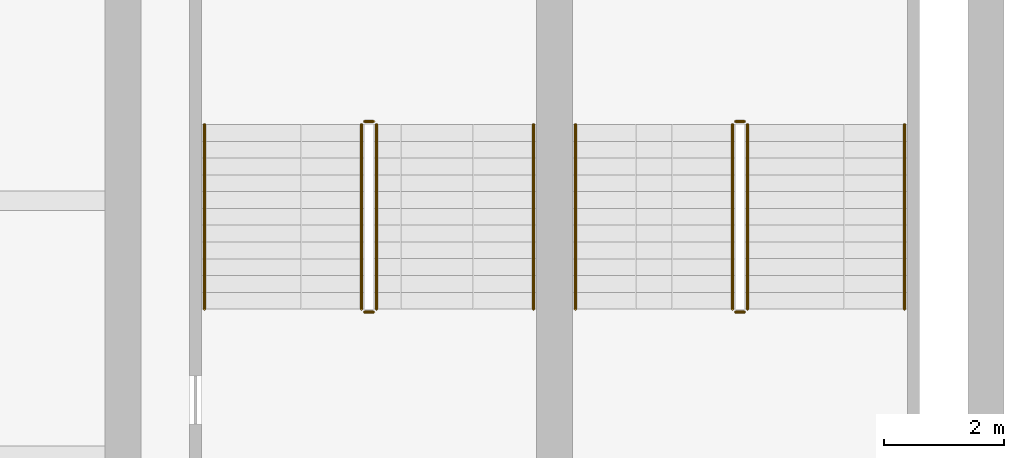
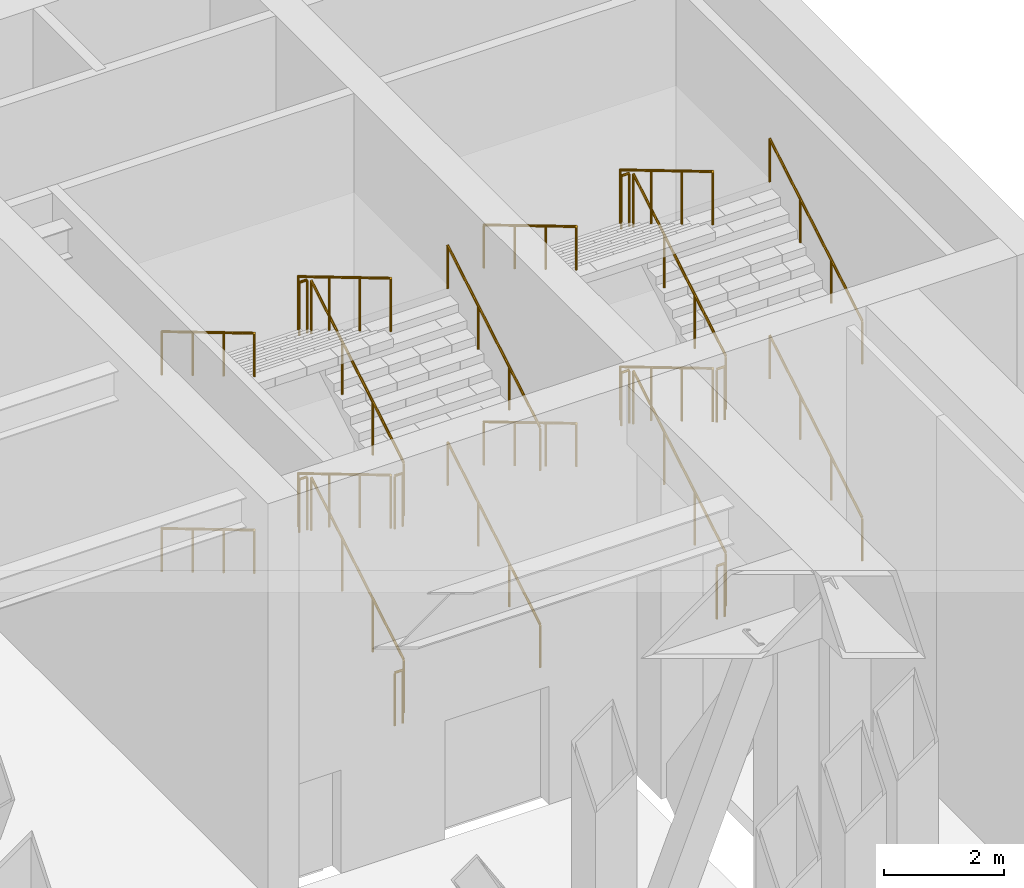
# One storey, part 20 of 20: 4 railings.
"""IFC4 building model written with IfcOpenShell, lengths in metres."""

from ifc_helpers import new_model, si_unit, direction, frame, origin, origin_2d, place, context, subcontext, project, spatial, circle, extrude, material, type_object, element, save


model = new_model("IFC4")

# Units and contexts
model_context = context("Model", 3, precision=1e-05, world=origin(), true_north=direction((0.0, 1.0)))
body_context = subcontext(model_context, "Body", "Model", "MODEL_VIEW")
ifc_project = project(units=[si_unit("LENGTHUNIT", "METRE"), si_unit("AREAUNIT", "SQUARE_METRE"), si_unit("VOLUMEUNIT", "CUBIC_METRE"), si_unit("PLANEANGLEUNIT", "RADIAN"), si_unit("MASSUNIT", "GRAM", prefix="KILO")], contexts=[model_context])

# Site, building, storey
site_placement = place(None, origin())
site = spatial("IfcSite", under=ifc_project, at=site_placement, CompositionType="ELEMENT")
building_placement = place(site_placement, origin())
building = spatial("IfcBuilding", under=site, at=building_placement, Name="Corbelhall Arena Tower", CompositionType="ELEMENT")
storey_placement = place(building_placement, frame((0.0, 0.0, 52.0)))
storey = spatial("IfcBuildingStorey", under=building, at=storey_placement, Name="L07", CompositionType="ELEMENT", Elevation=52.0)

# Railings
ifc_material = material(Name="Stainless steel A4", Category="steel")
railing_type_1 = type_object("IfcRailingType", Name="AR-STAIR-GUARD", PredefinedType="GUARDRAIL", material=ifc_material)
railing_1_placement = place(storey_placement, frame((37.530029296875, 27.320068359375, 0.166748046875)))
element("IfcRailing", 1, at=railing_1_placement, inside=storey, type_object=railing_type_1, Name="L07 AS1 stair guards", PredefinedType="GUARDRAIL", context=body_context, shape_type="SweptSolid", body=[
    extrude(circle(Radius=0.02392578125, at=origin_2d()), frame((0.0, 0.0, 1.076171875), z_axis=(0.0, 0.859290745958, 0.51148745235), x_axis=(-1.0, 0.0, 0.0)), (0.0, 0.0, 1.0), 3.584228515625),
    extrude(circle(Radius=0.02392578125, at=origin_2d()), frame((-0.050048828125, 3.1298828125, 2.9091796875), z_axis=(-1.0, 0.0, 0.0), x_axis=(0.0, -1.0, 0.0)), (0.0, 0.0, 1.0), 0.14990234375),
    extrude(circle(Radius=0.02392578125, at=origin_2d()), frame((-0.25, 3.079833984375, 3.076171875), z_axis=(0.0, -0.859290745958, 0.51148745235), x_axis=(1.0, 0.0, 0.0)), (0.0, 0.0, 1.0), 3.584228515625),
    extrude(circle(Radius=0.02392578125, at=origin_2d()), frame((-0.050048828125, -0.050048828125, 4.9091796875), z_axis=(-1.0, 0.0, 0.0), x_axis=(0.0, -1.0, 0.0)), (0.0, 0.0, 1.0), 0.14990234375),
    extrude(circle(Radius=0.02392578125, at=origin_2d()), frame((0.0, 0.0, 5.076171875), z_axis=(0.0, 0.859290745958, 0.51148745235), x_axis=(-1.0, 0.0, 0.0)), (0.0, 0.0, 1.0), 3.584228515625),
    extrude(circle(Radius=0.02392578125, at=origin_2d()), frame((-0.050048828125, 3.1298828125, 6.9091796875), z_axis=(-1.0, 0.0, 0.0), x_axis=(0.0, -1.0, 0.0)), (0.0, 0.0, 1.0), 0.14990234375),
    extrude(circle(Radius=0.02392578125, at=origin_2d()), frame((-0.25, 3.079833984375, 7.076171875), z_axis=(0.0, -0.859290745958, 0.51148745235), x_axis=(1.0, 0.0, 0.0)), (0.0, 0.0, 1.0), 3.584228515625),
    extrude(circle(Radius=0.02392578125, at=origin_2d()), frame((-0.050048828125, -0.050048828125, 0.9091796875), z_axis=(-1.0, 0.0, 0.0), x_axis=(0.0, -1.0, 0.0)), (0.0, 0.0, 1.0), 0.14990234375),
    extrude(circle(Radius=0.02099609375, at=origin_2d()), origin(), (0.0, 0.0, 1.0), 1.052001953125),
    extrude(circle(Radius=0.02099609375, at=origin_2d()), frame((0.0, 1.026611328125, 0.611083984375)), (0.0, 0.0, 1.0), 1.052001953125),
    extrude(circle(Radius=0.02099609375, at=origin_2d()), frame((0.0, 2.05322265625, 1.22216796875)), (0.0, 0.0, 1.0), 1.052001953125),
    extrude(circle(Radius=0.02099609375, at=origin_2d()), frame((0.0, 3.079833984375, 1.833251953125)), (0.0, 0.0, 1.0), 1.052001953125),
    extrude(circle(Radius=0.02099609375, at=origin_2d()), frame((-0.050048828125, 3.1298828125, 1.833251953125)), (0.0, 0.0, 1.0), 1.052001953125),
    extrude(circle(Radius=0.02099609375, at=origin_2d()), frame((-0.199951171875, 3.1298828125, 1.833251953125)), (0.0, 0.0, 1.0), 1.052001953125),
    extrude(circle(Radius=0.02099609375, at=origin_2d()), frame((-0.25, 3.079833984375, 2.0)), (0.0, 0.0, 1.0), 1.052001953125),
    extrude(circle(Radius=0.02099609375, at=origin_2d()), frame((-0.25, 2.05322265625, 2.611083984375)), (0.0, 0.0, 1.0), 1.052001953125),
    extrude(circle(Radius=0.02099609375, at=origin_2d()), frame((-0.25, 1.026611328125, 3.22216796875)), (0.0, 0.0, 1.0), 1.052001953125),
    extrude(circle(Radius=0.02099609375, at=origin_2d()), frame((-0.25, 0.0, 3.833251953125)), (0.0, 0.0, 1.0), 1.052001953125),
    extrude(circle(Radius=0.02099609375, at=origin_2d()), frame((-0.050048828125, -0.050048828125, 3.833251953125)), (0.0, 0.0, 1.0), 1.052001953125),
    extrude(circle(Radius=0.02099609375, at=origin_2d()), frame((-0.199951171875, -0.050048828125, 3.833251953125)), (0.0, 0.0, 1.0), 1.052001953125),
    extrude(circle(Radius=0.02099609375, at=origin_2d()), frame((0.0, 0.0, 4.0)), (0.0, 0.0, 1.0), 1.052001953125),
    extrude(circle(Radius=0.02099609375, at=origin_2d()), frame((0.0, 1.026611328125, 4.611083984375)), (0.0, 0.0, 1.0), 1.052001953125),
    extrude(circle(Radius=0.02099609375, at=origin_2d()), frame((0.0, 2.05322265625, 5.22216796875)), (0.0, 0.0, 1.0), 1.052001953125),
    extrude(circle(Radius=0.02099609375, at=origin_2d()), frame((0.0, 3.079833984375, 5.833251953125)), (0.0, 0.0, 1.0), 1.052001953125),
    extrude(circle(Radius=0.02099609375, at=origin_2d()), frame((-0.050048828125, 3.1298828125, 5.833251953125)), (0.0, 0.0, 1.0), 1.052001953125),
    extrude(circle(Radius=0.02099609375, at=origin_2d()), frame((-0.199951171875, 3.1298828125, 5.833251953125)), (0.0, 0.0, 1.0), 1.052001953125),
    extrude(circle(Radius=0.02099609375, at=origin_2d()), frame((-0.25, 3.079833984375, 6.0)), (0.0, 0.0, 1.0), 1.052001953125),
    extrude(circle(Radius=0.02099609375, at=origin_2d()), frame((-0.25, 2.05322265625, 6.611083984375)), (0.0, 0.0, 1.0), 1.052001953125),
    extrude(circle(Radius=0.02099609375, at=origin_2d()), frame((-0.25, 1.026611328125, 7.22216796875)), (0.0, 0.0, 1.0), 1.052001953125),
    extrude(circle(Radius=0.02099609375, at=origin_2d()), frame((-0.25, 0.0, 7.833251953125)), (0.0, 0.0, 1.0), 1.052001953125),
    extrude(circle(Radius=0.02099609375, at=origin_2d()), frame((-0.050048828125, -0.050048828125, -0.166748046875)), (0.0, 0.0, 1.0), 1.052001953125),
    extrude(circle(Radius=0.02099609375, at=origin_2d()), frame((-0.199951171875, -0.050048828125, -0.166748046875)), (0.0, 0.0, 1.0), 1.052001953125),
])
railing_2_placement = place(storey_placement, frame((43.719970703125, 27.320068359375, 0.166748046875)))
element("IfcRailing", 2, at=railing_2_placement, inside=storey, type_object=railing_type_1, Name="L07 AS2 stair guards", PredefinedType="GUARDRAIL", context=body_context, shape_type="SweptSolid", body=[
    extrude(circle(Radius=0.02392578125, at=origin_2d()), frame((0.0, 0.0, 1.076171875), z_axis=(0.0, 0.859290745958, 0.51148745235), x_axis=(-1.0, 0.0, 0.0)), (0.0, 0.0, 1.0), 3.584228515625),
    extrude(circle(Radius=0.02392578125, at=origin_2d()), frame((-0.050048828125, 3.1298828125, 2.9091796875), z_axis=(-1.0, 0.0, 0.0), x_axis=(0.0, -1.0, 0.0)), (0.0, 0.0, 1.0), 0.14990234375),
    extrude(circle(Radius=0.02392578125, at=origin_2d()), frame((-0.25, 3.079833984375, 3.076171875), z_axis=(0.0, -0.859290745958, 0.51148745235), x_axis=(1.0, 0.0, 0.0)), (0.0, 0.0, 1.0), 3.584228515625),
    extrude(circle(Radius=0.02392578125, at=origin_2d()), frame((-0.050048828125, -0.050048828125, 4.9091796875), z_axis=(-1.0, 0.0, 0.0), x_axis=(0.0, -1.0, 0.0)), (0.0, 0.0, 1.0), 0.14990234375),
    extrude(circle(Radius=0.02392578125, at=origin_2d()), frame((0.0, 0.0, 5.076171875), z_axis=(0.0, 0.859290745958, 0.51148745235), x_axis=(-1.0, 0.0, 0.0)), (0.0, 0.0, 1.0), 3.584228515625),
    extrude(circle(Radius=0.02392578125, at=origin_2d()), frame((-0.050048828125, 3.1298828125, 6.9091796875), z_axis=(-1.0, 0.0, 0.0), x_axis=(0.0, -1.0, 0.0)), (0.0, 0.0, 1.0), 0.14990234375),
    extrude(circle(Radius=0.02392578125, at=origin_2d()), frame((-0.25, 3.079833984375, 7.076171875), z_axis=(0.0, -0.859290745958, 0.51148745235), x_axis=(1.0, 0.0, 0.0)), (0.0, 0.0, 1.0), 3.584228515625),
    extrude(circle(Radius=0.02392578125, at=origin_2d()), frame((-0.050048828125, -0.050048828125, 0.9091796875), z_axis=(-1.0, 0.0, 0.0), x_axis=(0.0, -1.0, 0.0)), (0.0, 0.0, 1.0), 0.14990234375),
    extrude(circle(Radius=0.02099609375, at=origin_2d()), origin(), (0.0, 0.0, 1.0), 1.052001953125),
    extrude(circle(Radius=0.02099609375, at=origin_2d()), frame((0.0, 1.026611328125, 0.611083984375)), (0.0, 0.0, 1.0), 1.052001953125),
    extrude(circle(Radius=0.02099609375, at=origin_2d()), frame((0.0, 2.05322265625, 1.22216796875)), (0.0, 0.0, 1.0), 1.052001953125),
    extrude(circle(Radius=0.02099609375, at=origin_2d()), frame((0.0, 3.079833984375, 1.833251953125)), (0.0, 0.0, 1.0), 1.052001953125),
    extrude(circle(Radius=0.02099609375, at=origin_2d()), frame((-0.050048828125, 3.1298828125, 1.833251953125)), (0.0, 0.0, 1.0), 1.052001953125),
    extrude(circle(Radius=0.02099609375, at=origin_2d()), frame((-0.199951171875, 3.1298828125, 1.833251953125)), (0.0, 0.0, 1.0), 1.052001953125),
    extrude(circle(Radius=0.02099609375, at=origin_2d()), frame((-0.25, 3.079833984375, 2.0)), (0.0, 0.0, 1.0), 1.052001953125),
    extrude(circle(Radius=0.02099609375, at=origin_2d()), frame((-0.25, 2.05322265625, 2.611083984375)), (0.0, 0.0, 1.0), 1.052001953125),
    extrude(circle(Radius=0.02099609375, at=origin_2d()), frame((-0.25, 1.026611328125, 3.22216796875)), (0.0, 0.0, 1.0), 1.052001953125),
    extrude(circle(Radius=0.02099609375, at=origin_2d()), frame((-0.25, 0.0, 3.833251953125)), (0.0, 0.0, 1.0), 1.052001953125),
    extrude(circle(Radius=0.02099609375, at=origin_2d()), frame((-0.050048828125, -0.050048828125, 3.833251953125)), (0.0, 0.0, 1.0), 1.052001953125),
    extrude(circle(Radius=0.02099609375, at=origin_2d()), frame((-0.199951171875, -0.050048828125, 3.833251953125)), (0.0, 0.0, 1.0), 1.052001953125),
    extrude(circle(Radius=0.02099609375, at=origin_2d()), frame((0.0, 0.0, 4.0)), (0.0, 0.0, 1.0), 1.052001953125),
    extrude(circle(Radius=0.02099609375, at=origin_2d()), frame((0.0, 1.026611328125, 4.611083984375)), (0.0, 0.0, 1.0), 1.052001953125),
    extrude(circle(Radius=0.02099609375, at=origin_2d()), frame((0.0, 2.05322265625, 5.22216796875)), (0.0, 0.0, 1.0), 1.052001953125),
    extrude(circle(Radius=0.02099609375, at=origin_2d()), frame((0.0, 3.079833984375, 5.833251953125)), (0.0, 0.0, 1.0), 1.052001953125),
    extrude(circle(Radius=0.02099609375, at=origin_2d()), frame((-0.050048828125, 3.1298828125, 5.833251953125)), (0.0, 0.0, 1.0), 1.052001953125),
    extrude(circle(Radius=0.02099609375, at=origin_2d()), frame((-0.199951171875, 3.1298828125, 5.833251953125)), (0.0, 0.0, 1.0), 1.052001953125),
    extrude(circle(Radius=0.02099609375, at=origin_2d()), frame((-0.25, 3.079833984375, 6.0)), (0.0, 0.0, 1.0), 1.052001953125),
    extrude(circle(Radius=0.02099609375, at=origin_2d()), frame((-0.25, 2.05322265625, 6.611083984375)), (0.0, 0.0, 1.0), 1.052001953125),
    extrude(circle(Radius=0.02099609375, at=origin_2d()), frame((-0.25, 1.026611328125, 7.22216796875)), (0.0, 0.0, 1.0), 1.052001953125),
    extrude(circle(Radius=0.02099609375, at=origin_2d()), frame((-0.25, 0.0, 7.833251953125)), (0.0, 0.0, 1.0), 1.052001953125),
    extrude(circle(Radius=0.02099609375, at=origin_2d()), frame((-0.050048828125, -0.050048828125, -0.166748046875)), (0.0, 0.0, 1.0), 1.052001953125),
    extrude(circle(Radius=0.02099609375, at=origin_2d()), frame((-0.199951171875, -0.050048828125, -0.166748046875)), (0.0, 0.0, 1.0), 1.052001953125),
])
railing_type_2 = type_object("IfcRailingType", Name="AR-STAIR-HANDRAIL", PredefinedType="HANDRAIL", material=ifc_material)
railing_3_placement = place(storey_placement, frame((40.14990234375, 27.320068359375, 0.166748046875)))
element("IfcRailing", 3, at=railing_3_placement, inside=storey, type_object=railing_type_2, Name="L07 AS1 stair handrails", PredefinedType="HANDRAIL", context=body_context, shape_type="SweptSolid", body=[
    extrude(circle(Radius=0.02392578125, at=origin_2d()), frame((0.0, 0.0, 0.8759765625), z_axis=(0.0, 0.859290745958, 0.51148745235), x_axis=(-1.0, 0.0, 0.0)), (0.0, 0.0, 1.0), 3.584228515625),
    extrude(circle(Radius=0.02392578125, at=origin_2d()), frame((-5.489990234375, 3.079833984375, 2.8759765625), z_axis=(0.0, -0.859290745958, 0.51148745235), x_axis=(1.0, 0.0, 0.0)), (0.0, 0.0, 1.0), 3.584228515625),
    extrude(circle(Radius=0.02392578125, at=origin_2d()), frame((0.0, 0.0, 4.8759765625), z_axis=(0.0, 0.859290745958, 0.51148745235), x_axis=(-1.0, 0.0, 0.0)), (0.0, 0.0, 1.0), 3.584228515625),
    extrude(circle(Radius=0.02392578125, at=origin_2d()), frame((-5.489990234375, 3.079833984375, 6.8759765625), z_axis=(0.0, -0.859290745958, 0.51148745235), x_axis=(1.0, 0.0, 0.0)), (0.0, 0.0, 1.0), 3.584228515625),
    extrude(circle(Radius=0.02099609375, at=origin_2d()), origin(), (0.0, 0.0, 1.0), 0.851806640625),
    extrude(circle(Radius=0.02099609375, at=origin_2d()), frame((0.0, 1.026611328125, 0.611083984375)), (0.0, 0.0, 1.0), 0.851806640625),
    extrude(circle(Radius=0.02099609375, at=origin_2d()), frame((0.0, 2.05322265625, 1.22216796875)), (0.0, 0.0, 1.0), 0.851806640625),
    extrude(circle(Radius=0.02099609375, at=origin_2d()), frame((0.0, 3.079833984375, 1.833251953125)), (0.0, 0.0, 1.0), 0.851806640625),
    extrude(circle(Radius=0.02099609375, at=origin_2d()), frame((-5.489990234375, 3.079833984375, 2.0)), (0.0, 0.0, 1.0), 0.851806640625),
    extrude(circle(Radius=0.02099609375, at=origin_2d()), frame((-5.489990234375, 2.05322265625, 2.611083984375)), (0.0, 0.0, 1.0), 0.851806640625),
    extrude(circle(Radius=0.02099609375, at=origin_2d()), frame((-5.489990234375, 1.026611328125, 3.22216796875)), (0.0, 0.0, 1.0), 0.851806640625),
    extrude(circle(Radius=0.02099609375, at=origin_2d()), frame((-5.489990234375, 0.0, 3.833251953125)), (0.0, 0.0, 1.0), 0.851806640625),
    extrude(circle(Radius=0.02099609375, at=origin_2d()), frame((0.0, 0.0, 4.0)), (0.0, 0.0, 1.0), 0.851806640625),
    extrude(circle(Radius=0.02099609375, at=origin_2d()), frame((0.0, 1.026611328125, 4.611083984375)), (0.0, 0.0, 1.0), 0.851806640625),
    extrude(circle(Radius=0.02099609375, at=origin_2d()), frame((0.0, 2.05322265625, 5.22216796875)), (0.0, 0.0, 1.0), 0.851806640625),
    extrude(circle(Radius=0.02099609375, at=origin_2d()), frame((0.0, 3.079833984375, 5.833251953125)), (0.0, 0.0, 1.0), 0.851806640625),
    extrude(circle(Radius=0.02099609375, at=origin_2d()), frame((-5.489990234375, 3.079833984375, 6.0)), (0.0, 0.0, 1.0), 0.851806640625),
    extrude(circle(Radius=0.02099609375, at=origin_2d()), frame((-5.489990234375, 2.05322265625, 6.611083984375)), (0.0, 0.0, 1.0), 0.851806640625),
    extrude(circle(Radius=0.02099609375, at=origin_2d()), frame((-5.489990234375, 1.026611328125, 7.22216796875)), (0.0, 0.0, 1.0), 0.851806640625),
    extrude(circle(Radius=0.02099609375, at=origin_2d()), frame((-5.489990234375, 0.0, 7.833251953125)), (0.0, 0.0, 1.0), 0.851806640625),
])
railing_4_placement = place(storey_placement, frame((46.340087890625, 27.320068359375, 0.166748046875)))
element("IfcRailing", 4, at=railing_4_placement, inside=storey, type_object=railing_type_2, Name="L07 AS2 stair handrails", PredefinedType="HANDRAIL", context=body_context, shape_type="SweptSolid", body=[
    extrude(circle(Radius=0.02392578125, at=origin_2d()), frame((0.0, 0.0, 0.8759765625), z_axis=(0.0, 0.859290745958, 0.51148745235), x_axis=(-1.0, 0.0, 0.0)), (0.0, 0.0, 1.0), 3.584228515625),
    extrude(circle(Radius=0.02392578125, at=origin_2d()), frame((-5.489990234375, 3.079833984375, 2.8759765625), z_axis=(0.0, -0.859290745958, 0.51148745235), x_axis=(1.0, 0.0, 0.0)), (0.0, 0.0, 1.0), 3.584228515625),
    extrude(circle(Radius=0.02392578125, at=origin_2d()), frame((0.0, 0.0, 4.8759765625), z_axis=(0.0, 0.859290745958, 0.51148745235), x_axis=(-1.0, 0.0, 0.0)), (0.0, 0.0, 1.0), 3.584228515625),
    extrude(circle(Radius=0.02392578125, at=origin_2d()), frame((-5.489990234375, 3.079833984375, 6.8759765625), z_axis=(0.0, -0.859290745958, 0.51148745235), x_axis=(1.0, 0.0, 0.0)), (0.0, 0.0, 1.0), 3.584228515625),
    extrude(circle(Radius=0.02099609375, at=origin_2d()), origin(), (0.0, 0.0, 1.0), 0.851806640625),
    extrude(circle(Radius=0.02099609375, at=origin_2d()), frame((0.0, 1.026611328125, 0.611083984375)), (0.0, 0.0, 1.0), 0.851806640625),
    extrude(circle(Radius=0.02099609375, at=origin_2d()), frame((0.0, 2.05322265625, 1.22216796875)), (0.0, 0.0, 1.0), 0.851806640625),
    extrude(circle(Radius=0.02099609375, at=origin_2d()), frame((0.0, 3.079833984375, 1.833251953125)), (0.0, 0.0, 1.0), 0.851806640625),
    extrude(circle(Radius=0.02099609375, at=origin_2d()), frame((-5.489990234375, 3.079833984375, 2.0)), (0.0, 0.0, 1.0), 0.851806640625),
    extrude(circle(Radius=0.02099609375, at=origin_2d()), frame((-5.489990234375, 2.05322265625, 2.611083984375)), (0.0, 0.0, 1.0), 0.851806640625),
    extrude(circle(Radius=0.02099609375, at=origin_2d()), frame((-5.489990234375, 1.026611328125, 3.22216796875)), (0.0, 0.0, 1.0), 0.851806640625),
    extrude(circle(Radius=0.02099609375, at=origin_2d()), frame((-5.489990234375, 0.0, 3.833251953125)), (0.0, 0.0, 1.0), 0.851806640625),
    extrude(circle(Radius=0.02099609375, at=origin_2d()), frame((0.0, 0.0, 4.0)), (0.0, 0.0, 1.0), 0.851806640625),
    extrude(circle(Radius=0.02099609375, at=origin_2d()), frame((0.0, 1.026611328125, 4.611083984375)), (0.0, 0.0, 1.0), 0.851806640625),
    extrude(circle(Radius=0.02099609375, at=origin_2d()), frame((0.0, 2.05322265625, 5.22216796875)), (0.0, 0.0, 1.0), 0.851806640625),
    extrude(circle(Radius=0.02099609375, at=origin_2d()), frame((0.0, 3.079833984375, 5.833251953125)), (0.0, 0.0, 1.0), 0.851806640625),
    extrude(circle(Radius=0.02099609375, at=origin_2d()), frame((-5.489990234375, 3.079833984375, 6.0)), (0.0, 0.0, 1.0), 0.851806640625),
    extrude(circle(Radius=0.02099609375, at=origin_2d()), frame((-5.489990234375, 2.05322265625, 6.611083984375)), (0.0, 0.0, 1.0), 0.851806640625),
    extrude(circle(Radius=0.02099609375, at=origin_2d()), frame((-5.489990234375, 1.026611328125, 7.22216796875)), (0.0, 0.0, 1.0), 0.851806640625),
    extrude(circle(Radius=0.02099609375, at=origin_2d()), frame((-5.489990234375, 0.0, 7.833251953125)), (0.0, 0.0, 1.0), 0.851806640625),
])

save(model, "model.ifc")
